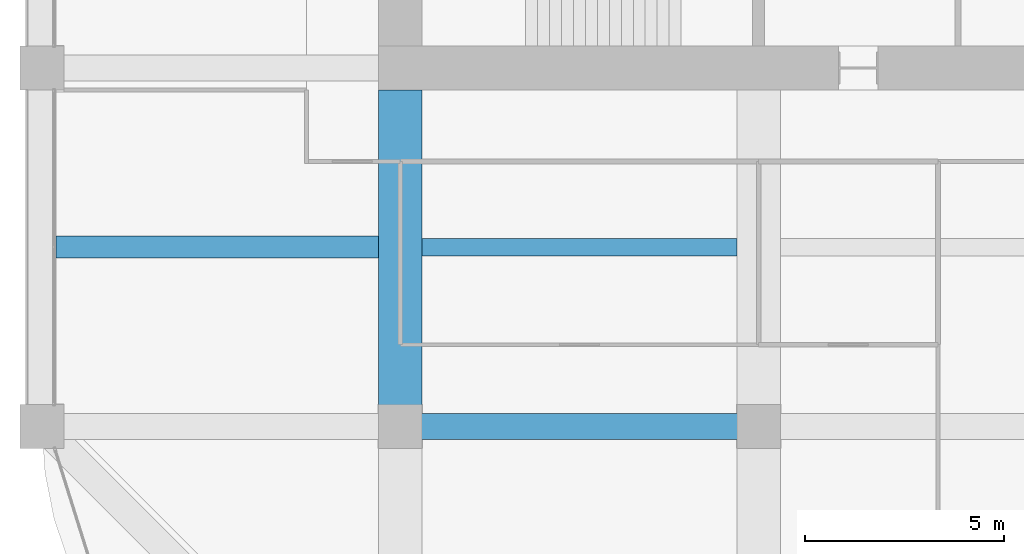
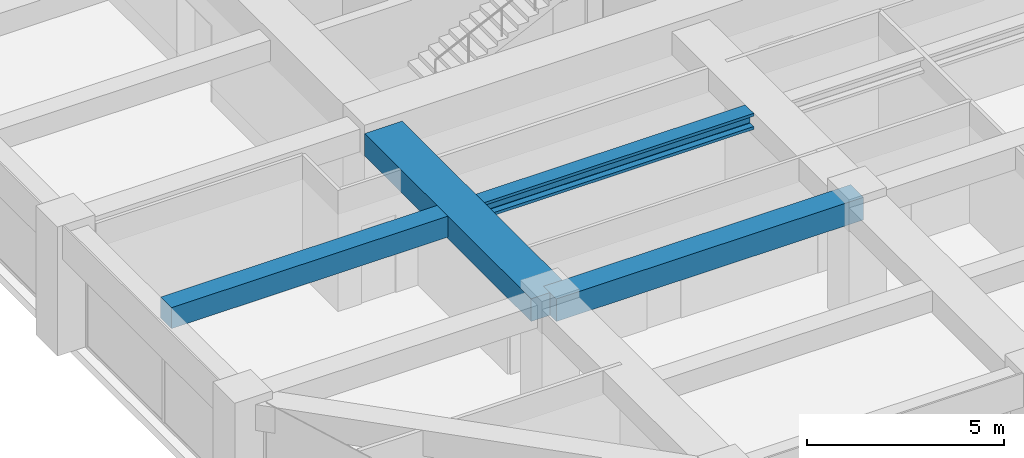
# One storey, part 8 of 44: 4 beams.
"""IFC4 building model written with IfcOpenShell, lengths in metres."""

from ifc_helpers import new_model, si_unit, direction, frame, origin, origin_2d, place, context, subcontext, project, spatial, rectangle, i_section, extrude, material, material_profile, profile_set, type_object, element, save


model = new_model("IFC4")

# Units and contexts
model_context = context("Model", 3, precision=1e-05, world=origin(), true_north=direction((0.0, 1.0)))
body_context = subcontext(model_context, "Body", "Model", "MODEL_VIEW")
ifc_project = project(units=[si_unit("LENGTHUNIT", "METRE"), si_unit("AREAUNIT", "SQUARE_METRE"), si_unit("VOLUMEUNIT", "CUBIC_METRE"), si_unit("PLANEANGLEUNIT", "RADIAN"), si_unit("MASSUNIT", "GRAM", prefix="KILO")], contexts=[model_context])

# Site, building, storey
site_placement = place(None, origin())
site = spatial("IfcSite", under=ifc_project, at=site_placement, CompositionType="ELEMENT")
building_placement = place(site_placement, origin())
building = spatial("IfcBuilding", under=site, at=building_placement, Name="Zorevar Civic Tower", CompositionType="ELEMENT")
storey_placement = place(building_placement, frame((0.0, 0.0, 251.39990234375)))
storey = spatial("IfcBuildingStorey", under=building, at=storey_placement, Name="L61", CompositionType="ELEMENT", Elevation=251.39990234375)

# Beams
ifc_material_1 = material(Name="Concrete C50/60", Category="concrete")
ifc_material_profile_1 = material_profile(ifc_material_1, rectangle(XDim=1.10009765625, YDim=0.699951171875, at=origin_2d()), Name="RC 1100x700")
ifc_profile_set_1 = profile_set([ifc_material_profile_1], Name="Concrete C50/60")
beam_type_1 = type_object("IfcBeamType", Name="Beam RC 1100x700", PredefinedType="BEAM", material=ifc_profile_set_1)
beam_1_placement = place(storey_placement, frame((18.0, 9.0, 3.400146484375), z_axis=(0.0, 1.0, 0.0), x_axis=(-1.0, 0.0, 0.0)))
element("IfcBeam", 1, at=beam_1_placement, inside=storey, type_object=beam_type_1, Name="Girder L62", PredefinedType="BEAM", context=body_context, shape_type="SweptSolid", body=[
    extrude(rectangle(XDim=1.10009765625, YDim=0.699951171875, at=origin_2d()), origin(), (0.0, 0.0, 1.0), 8.449951171875),
])
ifc_material_2 = material(Name="Concrete C50/60", Category="concrete")
ifc_material_profile_2 = material_profile(ifc_material_2, rectangle(XDim=0.550048828125, YDim=0.64990234375, at=origin_2d()), Name="RC 550x650")
ifc_profile_set_2 = profile_set([ifc_material_profile_2], Name="Concrete C50/60")
beam_type_2 = type_object("IfcBeamType", Name="Beam RC 550x650", PredefinedType="BEAM", material=ifc_profile_set_2)
beam_2_placement = place(storey_placement, frame((9.35009765625, 13.5, 3.425048828125), z_axis=(1.0, 0.0, 0.0), x_axis=(0.0, 1.0, 0.0)))
element("IfcBeam", 2, at=beam_2_placement, inside=storey, type_object=beam_type_2, Name="Secondary beam L62", PredefinedType="BEAM", context=body_context, shape_type="SweptSolid", body=[
    extrude(rectangle(XDim=0.550048828125, YDim=0.64990234375, at=origin_2d()), origin(), (0.0, 0.0, 1.0), 8.099853515625),
])
ifc_material_3 = material(Name="Concrete C50/60", Category="concrete")
ifc_material_profile_3 = material_profile(ifc_material_3, rectangle(XDim=0.64990234375, YDim=0.699951171875, at=origin_2d()), Name="RC 650x700")
ifc_profile_set_3 = profile_set([ifc_material_profile_3], Name="Concrete C50/60")
beam_type_3 = type_object("IfcBeamType", Name="Beam RC 650x700", PredefinedType="BEAM", material=ifc_profile_set_3)
beam_3_placement = place(storey_placement, frame((18.0, 9.0, 3.400146484375), z_axis=(1.0, 0.0, 0.0), x_axis=(0.0, 1.0, 0.0)))
element("IfcBeam", 3, at=beam_3_placement, inside=storey, type_object=beam_type_3, Name="Girder L62", PredefinedType="BEAM", context=body_context, shape_type="SweptSolid", body=[
    extrude(rectangle(XDim=0.64990234375, YDim=0.699951171875, at=origin_2d()), origin(), (0.0, 0.0, 1.0), 9.0),
])
ifc_material_4 = material(Name="Steel S460M (HISTAR 460)", Category="steel")
ifc_material_profile_4 = material_profile(ifc_material_4, i_section(OverallWidth=0.431884765625, OverallDepth=0.498046875, WebThickness=0.0556640625, FlangeThickness=0.0888671875, FilletRadius=0.014892578125, at=origin_2d()), Name="HD 400x744")
ifc_profile_set_4 = profile_set([ifc_material_profile_4], Name="Steel S460M (HISTAR 460)")
beam_type_4 = type_object("IfcBeamType", Name="Core bay beam HD 400x744", PredefinedType="BEAM", material=ifc_profile_set_4)
beam_4_placement = place(storey_placement, frame((18.550048828125, 13.5, 3.5009765625), z_axis=(1.0, 0.0, 0.0), x_axis=(0.0, 1.0, 0.0)))
element("IfcBeam", 4, at=beam_4_placement, inside=storey, type_object=beam_type_4, Name="Secondary beam L62", PredefinedType="BEAM", context=body_context, shape_type="SweptSolid", body=[
    extrude(i_section(OverallWidth=0.431884765625, OverallDepth=0.498046875, WebThickness=0.0556640625, FlangeThickness=0.0888671875, FilletRadius=0.014892578125, at=origin_2d()), origin(), (0.0, 0.0, 1.0), 7.89990234375),
])

save(model, "model.ifc")
